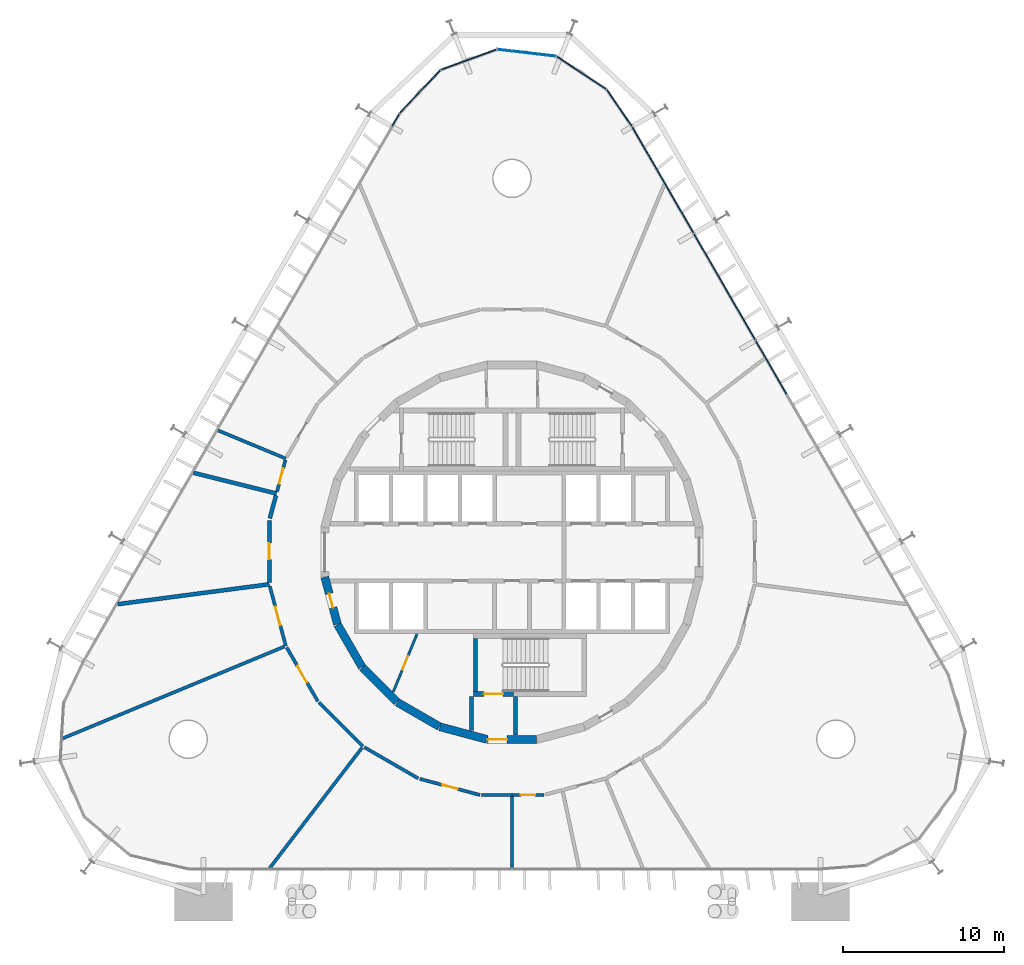
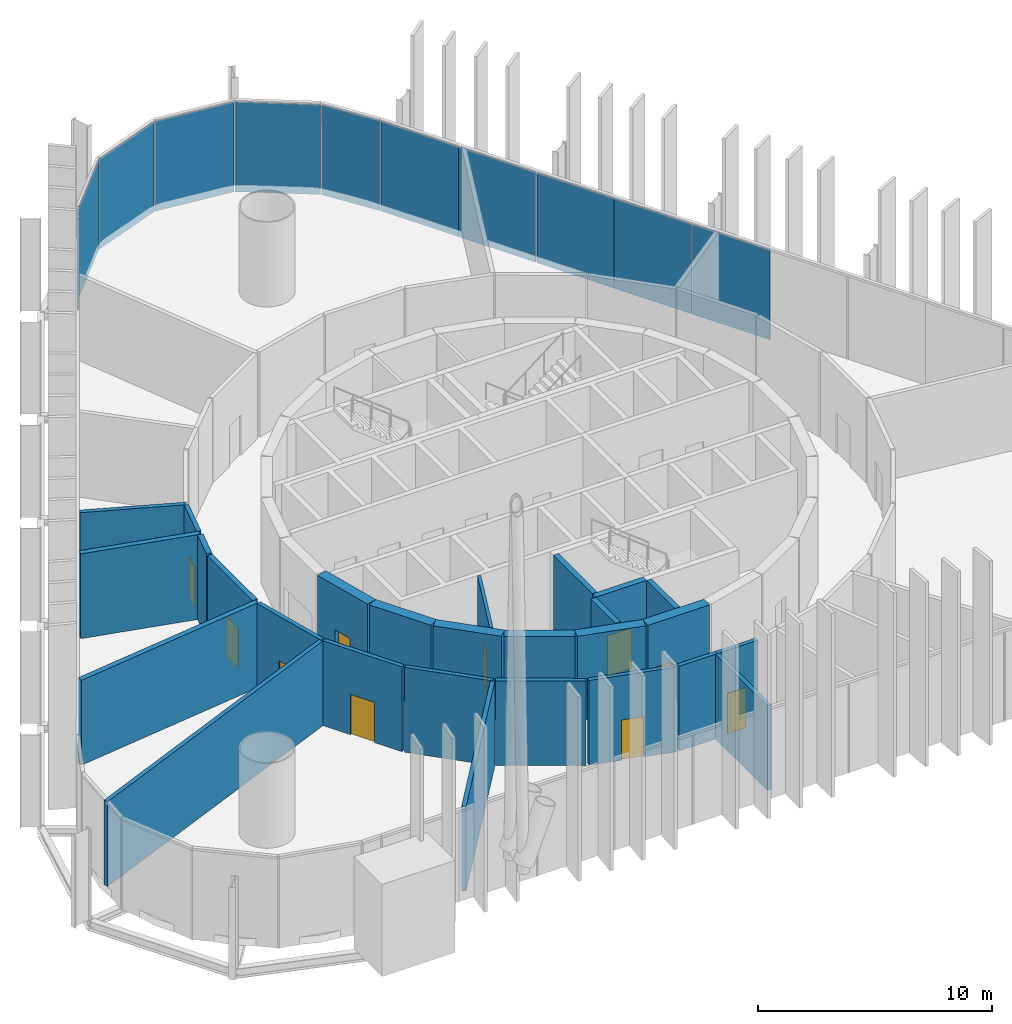
# One storey, part 14 of 18: 27 walls, 11 plates, 10 doors, 10 openings, 2 elements without a shape of their own.
"""IFC4 building model written with IfcOpenShell, lengths in metres."""

from ifc_helpers import new_model, si_unit, direction, frame, frame_2d, origin, origin_2d, place, context, subcontext, project, spatial, rectangle, extrude, material, layer, layer_set, type_object, element, fill, aggregate, save


model = new_model("IFC4")

# Units and contexts
model_context = context("Model", 3, precision=1e-05, world=origin(), true_north=direction((0.0, 1.0)))
body_context = subcontext(model_context, "Body", "Model", "MODEL_VIEW")
ifc_project = project(units=[si_unit("LENGTHUNIT", "METRE"), si_unit("AREAUNIT", "SQUARE_METRE"), si_unit("VOLUMEUNIT", "CUBIC_METRE"), si_unit("PLANEANGLEUNIT", "RADIAN"), si_unit("MASSUNIT", "GRAM", prefix="KILO")], contexts=[model_context])

# Site, building, storey
site_placement = place(None, origin())
site = spatial("IfcSite", under=ifc_project, at=site_placement, CompositionType="ELEMENT")
building_placement = place(site_placement, origin())
building = spatial("IfcBuilding", under=site, at=building_placement, Name="Spindle Arch Residences", CompositionType="ELEMENT")
storey_placement = place(building_placement, frame((0.0, 0.0, 9.0)))
storey = spatial("IfcBuildingStorey", under=building, at=storey_placement, Name="L01", CompositionType="ELEMENT", Elevation=9.0)

# Curtain wall, plates
ifc_material_1 = material(Name="Aluminium bronze unitised frame with tinted glass", Category="aluminium")
ifc_layer_1 = layer(ifc_material_1, 0.159912109375)
ifc_layer_set_1 = layer_set([ifc_layer_1], Name="CW-B amenity podium glazed wall")
curtain_wall_type_1 = type_object("IfcCurtainWallType", Name="CW-B amenity podium glazed wall", PredefinedType="NOTDEFINED", material=ifc_layer_set_1)
curtain_wall_1_placement = place(storey_placement, origin())
curtain_wall_1 = element("IfcCurtainWall", 1, at=curtain_wall_1_placement, inside=storey, type_object=curtain_wall_type_1, Name="CW-B L01 run 2", PredefinedType="NOTDEFINED")
ifc_material_2 = material(Name="Tinted double glazing over aluminium faced non-combustible spandrel zone (K0)", Category="aluminium")
ifc_layer_2 = layer(ifc_material_2, 0.06005859375)
ifc_layer_set_2 = layer_set([ifc_layer_2], Name="Unitised glass panel with E 60 spandrel zone")
plate_type = type_object("IfcPlateType", Name="Unitised glass panel with E 60 spandrel zone", PredefinedType="CURTAIN_PANEL", material=ifc_layer_set_2)
plate_1_placement = place(storey_placement, frame((16.11669921875, 11.504638671875, -0.3798828125), z_axis=(0.0, 0.0, 1.0), x_axis=(-0.5, 0.866025403784, 0.0)))
plate_1 = element("IfcPlate", 2, at=plate_1_placement, type_object=plate_type, Name="CW-B unit 07B", PredefinedType="CURTAIN_PANEL", context=body_context, shape_type="SweptSolid", body=[
    extrude(rectangle(XDim=3.81005859375, YDim=0.06005859375, at=origin_2d()), origin(), (0.0, 0.0, 1.0), 4.679931640625),
])
plate_2_placement = place(storey_placement, frame((14.181640625, 14.856201171875, -0.3798828125), z_axis=(0.0, 0.0, 1.0), x_axis=(-0.5, 0.866025403784, 0.0)))
plate_2 = element("IfcPlate", 3, at=plate_2_placement, type_object=plate_type, Name="CW-B unit 08A", PredefinedType="CURTAIN_PANEL", context=body_context, shape_type="SweptSolid", body=[
    extrude(rectangle(XDim=3.81005859375, YDim=0.06005859375, at=origin_2d()), origin(), (0.0, 0.0, 1.0), 4.679931640625),
])
plate_3_placement = place(storey_placement, frame((12.27685546875, 18.156005859375, -0.3798828125), z_axis=(0.0, 0.0, 1.0), x_axis=(-0.5, 0.866025403784, 0.0)))
plate_3 = element("IfcPlate", 4, at=plate_3_placement, type_object=plate_type, Name="CW-B unit 08B", PredefinedType="CURTAIN_PANEL", context=body_context, shape_type="SweptSolid", body=[
    extrude(rectangle(XDim=3.81005859375, YDim=0.06005859375, at=origin_2d()), origin(), (0.0, 0.0, 1.0), 4.679931640625),
])
plate_4_placement = place(storey_placement, frame((10.341796875, 21.50732421875, -0.3798828125), z_axis=(0.0, 0.0, 1.0), x_axis=(-0.5, 0.866025403784, 0.0)))
plate_4 = element("IfcPlate", 5, at=plate_4_placement, type_object=plate_type, Name="CW-B unit 09A", PredefinedType="CURTAIN_PANEL", context=body_context, shape_type="SweptSolid", body=[
    extrude(rectangle(XDim=3.81005859375, YDim=0.06005859375, at=origin_2d()), origin(), (0.0, 0.0, 1.0), 4.679931640625),
])
plate_5_placement = place(storey_placement, frame((8.436767578125, 24.80712890625, -0.3798828125), z_axis=(0.0, 0.0, 1.0), x_axis=(-0.5, 0.866025403784, 0.0)))
plate_5 = element("IfcPlate", 6, at=plate_5_placement, type_object=plate_type, Name="CW-B unit 09B", PredefinedType="CURTAIN_PANEL", context=body_context, shape_type="SweptSolid", body=[
    extrude(rectangle(XDim=3.81005859375, YDim=0.06005859375, at=origin_2d()), origin(), (0.0, 0.0, 1.0), 4.679931640625),
])
aggregate(curtain_wall_1, [plate_1, plate_2, plate_3, plate_4, plate_5])

ifc_material_3 = material(Name="Aluminium bronze unitised frame with tinted glass", Category="aluminium")
ifc_layer_3 = layer(ifc_material_3, 0.159912109375)
ifc_layer_set_3 = layer_set([ifc_layer_3], Name="CW-D corner wall on the fillet arcs")
curtain_wall_type_2 = type_object("IfcCurtainWallType", Name="CW-D corner wall on the fillet arcs", PredefinedType="NOTDEFINED", material=ifc_layer_set_3)
curtain_wall_2_placement = place(storey_placement, origin())
curtain_wall_2 = element("IfcCurtainWall", 7, at=curtain_wall_2_placement, inside=storey, type_object=curtain_wall_type_2, Name="CW-D L01 run 3", PredefinedType="NOTDEFINED")
plate_6_placement = place(storey_placement, frame((6.673095703125, 27.643798828125, -0.3798828125), z_axis=(0.0, 0.0, 1.0), x_axis=(-0.565500718711, 0.824747802142, 0.0)))
plate_6 = element("IfcPlate", 8, at=plate_6_placement, type_object=plate_type, Name="CW-D unit 00", PredefinedType="CURTAIN_PANEL", context=body_context, shape_type="SweptSolid", body=[
    extrude(rectangle(XDim=2.755126953125, YDim=0.06005859375, at=origin_2d()), origin(), (0.0, 0.0, 1.0), 4.679931640625),
])
plate_7_placement = place(storey_placement, frame((4.3203125, 29.82861328125, -0.3798828125), z_axis=(0.0, 0.0, 1.0), x_axis=(-0.835487811704, 0.549508977628, 0.0)))
plate_7 = element("IfcPlate", 9, at=plate_7_placement, type_object=plate_type, Name="CW-D unit 01", PredefinedType="CURTAIN_PANEL", context=body_context, shape_type="SweptSolid", body=[
    extrude(rectangle(XDim=3.666748046875, YDim=0.06005859375, at=origin_2d()), origin(), (0.0, 0.0, 1.0), 4.679931640625),
])
plate_8_placement = place(storey_placement, frame((0.912841796875, 31.06884765625, -0.3798828125), z_axis=(0.0, 0.0, 1.0), x_axis=(-0.993238357591, 0.116092915414, 0.0)))
plate_8 = element("IfcPlate", 10, at=plate_8_placement, type_object=plate_type, Name="CW-D unit 02", PredefinedType="CURTAIN_PANEL", context=body_context, shape_type="SweptSolid", body=[
    extrude(rectangle(XDim=3.666748046875, YDim=0.06005859375, at=origin_2d()), origin(), (0.0, 0.0, 1.0), 4.679931640625),
])
plate_9_placement = place(storey_placement, frame((-2.68896484375, 30.64794921875, -0.3798828125), z_axis=(0.0, 0.0, 1.0), x_axis=(-0.939692621437, -0.342020141538, 0.0)))
plate_9 = element("IfcPlate", 11, at=plate_9_placement, type_object=plate_type, Name="CW-D unit 03", PredefinedType="CURTAIN_PANEL", context=body_context, shape_type="SweptSolid", body=[
    extrude(rectangle(XDim=3.666748046875, YDim=0.06005859375, at=origin_2d()), origin(), (0.0, 0.0, 1.0), 4.679931640625),
])
plate_10_placement = place(storey_placement, frame((-5.71875, 28.6552734375, -0.3798828125), z_axis=(0.0, 0.0, 1.0), x_axis=(-0.686241639236, -0.727373640284, 0.0)))
plate_10 = element("IfcPlate", 12, at=plate_10_placement, type_object=plate_type, Name="CW-D unit 04", PredefinedType="CURTAIN_PANEL", context=body_context, shape_type="SweptSolid", body=[
    extrude(rectangle(XDim=3.666748046875, YDim=0.06005859375, at=origin_2d()), origin(), (0.0, 0.0, 1.0), 4.679931640625),
])
plate_11_placement = place(storey_placement, frame((-7.2333984375, 26.891357421875, -0.3798828125), z_axis=(0.0, 0.0, 1.0), x_axis=(-0.5, -0.866025403784, 0.0)))
plate_11 = element("IfcPlate", 13, at=plate_11_placement, type_object=plate_type, Name="CW-D unit 05", PredefinedType="CURTAIN_PANEL", context=body_context, shape_type="SweptSolid", body=[
    extrude(rectangle(XDim=0.88330078125, YDim=0.06005859375, at=origin_2d()), origin(), (0.0, 0.0, 1.0), 4.679931640625),
])
aggregate(curtain_wall_2, [plate_6, plate_7, plate_8, plate_9, plate_10, plate_11])

# Wall, opening, door
ifc_material_4 = material(Name="Concrete C50/60", Category="concrete")
ifc_layer_4 = layer(ifc_material_4, 0.5)
ifc_layer_set_4 = layer_set([ifc_layer_4], Name="Core outline wall 500")
wall_type_1 = type_object("IfcWallType", Name="Core outline wall 500", PredefinedType="SHEAR", material=ifc_layer_set_4)
wall_1_placement = place(storey_placement, frame((-11.642822265625, -1.5498046875, 0.0), z_axis=(0.0, 0.0, 1.0), x_axis=(0.258734743916, -0.965948410781, 0.0)))
wall_1 = element("IfcWall", 14, at=wall_1_placement, inside=storey, type_object=wall_type_1, Name="Core outline wall 19", PredefinedType="SHEAR", context=body_context, shape_type="SweptSolid", body=[
    extrude(rectangle(XDim=3.03271484375, YDim=0.5, at=frame_2d((1.516357421875, 0.0))), origin(), (0.0, 0.0, 1.0), 4.419921875),
])
opening_1_placement = place(wall_1_placement, frame((1.06640625, 0.0, 0.0)))
opening_1 = element("IfcOpeningElement", 15, at=opening_1_placement, cuts=wall_1, Name="Opening L01-WD10", PredefinedType="OPENING", context=body_context, shape_type="SweptSolid", body=[
    extrude(rectangle(XDim=0.89990234375, YDim=2.10009765625, at=frame_2d((0.449951171875, 1.050048828125))), frame((0.0, 0.260009765625, 0.0), z_axis=(0.0, -1.0, 0.0), x_axis=(1.0, 0.0, 0.0)), (0.0, 0.0, 1.0), 0.52001953125),
])
ifc_material_5 = material(Name="Steel, fire-resisting door", Category="steel")
door_type_1 = type_object("IfcDoorType", Name="Service room door 900x2100", OperationType="SINGLE_SWING_LEFT", PredefinedType="DOOR", material=ifc_material_5)
door_1_placement = place(opening_1_placement, origin())
door_1 = element("IfcDoor", 16, at=door_1_placement, inside=storey, type_object=door_type_1, Name="Service room door L01-WD10", OperationType="SINGLE_SWING_LEFT", OverallHeight=2.10009765625, OverallWidth=0.89990234375, PredefinedType="DOOR", context=body_context, shape_type="SweptSolid", body=[
    extrude(rectangle(XDim=0.89990234375, YDim=2.10009765625, at=frame_2d((0.449951171875, 1.050048828125))), frame((0.0, 0.02490234375, 0.0), z_axis=(0.0, -1.0, 0.0), x_axis=(1.0, 0.0, 0.0)), (0.0, 0.0, 1.0), 0.050048828125),
])
fill(opening_1, door_1)

# Walls
wall_2_placement = place(storey_placement, frame((-10.84521484375, -4.510498046875, 0.0), z_axis=(0.0, 0.0, 1.0), x_axis=(0.500087131594, -0.865975092491, 0.0)))
element("IfcWall", 17, at=wall_2_placement, inside=storey, type_object=wall_type_1, Name="Core outline wall 20", PredefinedType="SHEAR", context=body_context, shape_type="SweptSolid", body=[
    extrude(rectangle(XDim=3.03271484375, YDim=0.5, at=frame_2d((1.516357421875, 0.0))), origin(), (0.0, 0.0, 1.0), 4.419921875),
])
wall_3_placement = place(storey_placement, frame((-9.30810546875, -7.163818359375, 0.0), z_axis=(0.0, 0.0, 1.0), x_axis=(0.707106781187, -0.707106781187, 0.0)))
element("IfcWall", 18, at=wall_3_placement, inside=storey, type_object=wall_type_1, Name="Core outline wall 21", PredefinedType="SHEAR", context=body_context, shape_type="SweptSolid", body=[
    extrude(rectangle(XDim=3.032470703125, YDim=0.5, at=frame_2d((1.51611328125, 0.0))), origin(), (0.0, 0.0, 1.0), 4.419921875),
])
for number, where, z_axis, x_axis, name in (
    (19, (-7.13671875, -9.32861328125, 0.0), (0.0, 0.0, 1.0), (0.865975092491, -0.500087131594, 0.0), "Core outline wall 22"),
    (20, (-4.479248046875, -10.858154296875, 0.0), (0.0, 0.0, 1.0), (0.965948410781, -0.258734743916, 0.0), "Core outline wall 23"),
):
    element("IfcWall", number, at=place(storey_placement, frame(where, z_axis=z_axis, x_axis=x_axis)), inside=storey, type_object=wall_type_1, Name=name, PredefinedType="SHEAR", context=body_context, shape_type="SweptSolid", body=[
        extrude(rectangle(XDim=3.03271484375, YDim=0.5, at=frame_2d((1.516357421875, 0.0))), origin(), (0.0, 0.0, 1.0), 4.419921875),
    ])

# Wall, opening, door
wall_4_placement = place(storey_placement, frame((-1.516357421875, -11.647216796875, 0.0), z_axis=(0.0, 0.0, 1.0), x_axis=(1.0, 0.0, 0.0)))
wall_4 = element("IfcWall", 21, at=wall_4_placement, inside=storey, type_object=wall_type_1, Name="Core outline wall 24", PredefinedType="SHEAR", context=body_context, shape_type="SweptSolid", body=[
    extrude(rectangle(XDim=3.03271484375, YDim=0.5, at=frame_2d((1.516357421875, 0.0))), origin(), (0.0, 0.0, 1.0), 4.419921875),
])
opening_2_placement = place(wall_4_placement, frame((0.016357421875, 0.0, 0.0)))
opening_2 = element("IfcOpeningElement", 22, at=opening_2_placement, cuts=wall_4, Name="Opening L01-AD03", PredefinedType="OPENING", context=body_context, shape_type="SweptSolid", body=[
    extrude(rectangle(XDim=1.199951171875, YDim=2.10009765625, at=frame_2d((0.60009765625, 1.050048828125))), frame((0.0, 0.260009765625, 0.0), z_axis=(0.0, -1.0, 0.0), x_axis=(1.0, 0.0, 0.0)), (0.0, 0.0, 1.0), 0.52001953125),
])
ifc_material_6 = material(Name="Steel, fire-resisting door", Category="steel")
door_type_2 = type_object("IfcDoorType", Name="Stair airlock door 1200x2100", OperationType="SINGLE_SWING_LEFT", PredefinedType="DOOR", material=ifc_material_6)
door_2_placement = place(opening_2_placement, origin())
door_2 = element("IfcDoor", 23, at=door_2_placement, inside=storey, type_object=door_type_2, Name="Stair airlock door L01-AD03", OperationType="SINGLE_SWING_RIGHT", OverallHeight=2.10009765625, OverallWidth=1.199951171875, PredefinedType="DOOR", context=body_context, shape_type="SweptSolid", body=[
    extrude(rectangle(XDim=1.199951171875, YDim=2.10009765625, at=frame_2d((0.60009765625, 1.050048828125))), frame((0.0, 0.02490234375, 0.0), z_axis=(0.0, -1.0, 0.0), x_axis=(1.0, 0.0, 0.0)), (0.0, 0.0, 1.0), 0.050048828125),
])
fill(opening_2, door_2)

# Wall
ifc_material_7 = material(Name="Concrete C25/30 wall", Category="concrete")
ifc_layer_5 = layer(ifc_material_7, 0.25)
ifc_layer_set_5 = layer_set([ifc_layer_5], Name="Partition EI 120 250 plant")
wall_type_2 = type_object("IfcWallType", Name="Partition EI 120 250 plant", PredefinedType="PARTITIONING", material=ifc_layer_set_5)
wall_5_placement = place(storey_placement, frame((-15.10009765625, -1.989990234375, 0.0), z_axis=(0.0, 0.0, 1.0), x_axis=(-0.99146503856, -0.130372839634, 0.0)))
element("IfcWall", 24, at=wall_5_placement, inside=storey, type_object=wall_type_2, Name="L01-W001", PredefinedType="PARTITIONING", context=body_context, shape_type="SweptSolid", body=[
    extrude(rectangle(XDim=9.51123046875, YDim=0.25, at=frame_2d((4.755615234375, 0.0))), origin(), (0.0, 0.0, 1.0), 4.419921875),
])

# Wall, opening, door
wall_6_placement = place(storey_placement, frame((-15.10009765625, 1.989990234375, 0.0), z_axis=(0.0, 0.0, 1.0), x_axis=(0.0, -1.0, 0.0)))
wall_6 = element("IfcWall", 25, at=wall_6_placement, inside=storey, type_object=wall_type_2, Name="L01-W003", PredefinedType="PARTITIONING", context=body_context, shape_type="SweptSolid", body=[
    extrude(rectangle(XDim=3.85498046875, YDim=0.25, at=frame_2d((1.927490234375, 0.0))), origin(), (0.0, 0.0, 1.0), 4.419921875),
])
opening_3_placement = place(wall_6_placement, frame((1.427490234375, 0.0, 0.0)))
opening_3 = element("IfcOpeningElement", 26, at=opening_3_placement, cuts=wall_6, Name="Opening L01-D08", PredefinedType="OPENING", context=body_context, shape_type="SweptSolid", body=[
    extrude(rectangle(XDim=1.0, YDim=2.10009765625, at=frame_2d((0.5, 1.050048828125))), frame((0.0, 0.135009765625, 0.0), z_axis=(0.0, -1.0, 0.0), x_axis=(1.0, 0.0, 0.0)), (0.0, 0.0, 1.0), 0.27001953125),
])
ifc_material_8 = material(Name="Steel door leaf, painted", Category="steel")
door_type_3 = type_object("IfcDoorType", Name="Door 1000x2100 EI 60", OperationType="SINGLE_SWING_LEFT", PredefinedType="DOOR", material=ifc_material_8)
door_3_placement = place(opening_3_placement, origin())
door_3 = element("IfcDoor", 27, at=door_3_placement, inside=storey, type_object=door_type_3, Name="L01-D08", OperationType="SINGLE_SWING_LEFT", OverallHeight=2.10009765625, OverallWidth=1.0, PredefinedType="DOOR", context=body_context, shape_type="SweptSolid", body=[
    extrude(rectangle(XDim=1.0, YDim=2.10009765625, at=frame_2d((0.5, 1.050048828125))), frame((0.0, 0.02490234375, 0.0), z_axis=(0.0, -1.0, 0.0), x_axis=(1.0, 0.0, 0.0)), (0.0, 0.0, 1.0), 0.050048828125),
])
fill(opening_3, door_3)

# Walls
wall_7_placement = place(storey_placement, frame((-14.64990234375, 3.64990234375, 0.0), z_axis=(0.0, 0.0, 1.0), x_axis=(-0.970142500145, 0.242535625036, 0.0)))
element("IfcWall", 28, at=wall_7_placement, inside=storey, type_object=wall_type_2, Name="L01-W004", PredefinedType="PARTITIONING", context=body_context, shape_type="SweptSolid", body=[
    extrude(rectangle(XDim=5.31884765625, YDim=0.25, at=frame_2d((2.659423828125, 0.0))), origin(), (0.0, 0.0, 1.0), 4.419921875),
])
wall_8_placement = place(storey_placement, frame((-14.6826171875, 3.529296875, 0.0), z_axis=(0.0, 0.0, 1.0), x_axis=(-0.261753947787, -0.9651346387, 0.0)))
element("IfcWall", 29, at=wall_8_placement, inside=storey, type_object=wall_type_2, Name="L01-W005", PredefinedType="PARTITIONING", context=body_context, shape_type="SweptSolid", body=[
    extrude(rectangle(XDim=1.469970703125, YDim=0.25, at=frame_2d((0.73486328125, 0.0))), origin(), (0.0, 0.0, 1.0), 4.419921875),
])

# Wall, opening, door
ifc_material_9 = material(Name="Gypsum board partition on steel studs", Category="steel")
ifc_layer_6 = layer(ifc_material_9, 0.199951171875)
ifc_layer_set_6 = layer_set([ifc_layer_6], Name="Partition EI 60 200 amenity")
wall_type_3 = type_object("IfcWallType", Name="Partition EI 60 200 amenity", PredefinedType="PARTITIONING", material=ifc_layer_set_6)
wall_9_placement = place(storey_placement, frame((-15.067626953125, -2.11083984375, 0.0), z_axis=(0.0, 0.0, 1.0), x_axis=(0.259059323171, -0.965861411942, 0.0)))
wall_9 = element("IfcWall", 30, at=wall_9_placement, inside=storey, type_object=wall_type_3, Name="L01-W002", PredefinedType="PARTITIONING", context=body_context, shape_type="SweptSolid", body=[
    extrude(rectangle(XDim=3.8505859375, YDim=0.199951171875, at=frame_2d((1.92529296875, 0.0))), origin(), (0.0, 0.0, 1.0), 4.419921875),
])
opening_4_placement = place(wall_9_placement, frame((1.325439453125, 0.0, 0.0)))
opening_4 = element("IfcOpeningElement", 31, at=opening_4_placement, cuts=wall_9, Name="Opening L01-D07", PredefinedType="OPENING", context=body_context, shape_type="SweptSolid", body=[
    extrude(rectangle(XDim=1.199951171875, YDim=2.10009765625, at=frame_2d((0.60009765625, 1.050048828125))), frame((0.0, 0.10986328125, 0.0), z_axis=(0.0, -1.0, 0.0), x_axis=(1.0, 0.0, 0.0)), (0.0, 0.0, 1.0), 0.219970703125),
])
ifc_material_10 = material(Name="Timber door leaf", Category="wood")
door_type_4 = type_object("IfcDoorType", Name="Door 1200x2100 EI 30", OperationType="SINGLE_SWING_LEFT", PredefinedType="DOOR", material=ifc_material_10)
door_4_placement = place(opening_4_placement, origin())
door_4 = element("IfcDoor", 32, at=door_4_placement, inside=storey, type_object=door_type_4, Name="L01-D07", OperationType="SINGLE_SWING_LEFT", OverallHeight=2.10009765625, OverallWidth=1.199951171875, PredefinedType="DOOR", context=body_context, shape_type="SweptSolid", body=[
    extrude(rectangle(XDim=1.199951171875, YDim=2.10009765625, at=frame_2d((0.60009765625, 1.050048828125))), frame((0.0, 0.02490234375, 0.0), z_axis=(0.0, -1.0, 0.0), x_axis=(1.0, 0.0, 0.0)), (0.0, 0.0, 1.0), 0.050048828125),
])
fill(opening_4, door_4)

# Wall
wall_10_placement = place(storey_placement, frame((-14.162353515625, -5.8681640625, 0.0), z_axis=(0.0, 0.0, 1.0), x_axis=(-0.923914077449, -0.382600022859, 0.0)))
element("IfcWall", 33, at=wall_10_placement, inside=storey, type_object=wall_type_3, Name="L01-W006", PredefinedType="PARTITIONING", context=body_context, shape_type="SweptSolid", body=[
    extrude(rectangle(XDim=15.08544921875, YDim=0.199951171875, at=frame_2d((7.542724609375, 0.0))), origin(), (0.0, 0.0, 1.0), 4.419921875),
])

# Wall, opening, door
wall_11_placement = place(storey_placement, frame((-14.02001953125, -5.91650390625, 0.0), z_axis=(0.0, 0.0, 1.0), x_axis=(0.500733182901, -0.865601686425, 0.0)))
wall_11 = element("IfcWall", 34, at=wall_11_placement, inside=storey, type_object=wall_type_3, Name="L01-W007", PredefinedType="PARTITIONING", context=body_context, shape_type="SweptSolid", body=[
    extrude(rectangle(XDim=3.874267578125, YDim=0.199951171875, at=frame_2d((1.93701171875, 0.0))), origin(), (0.0, 0.0, 1.0), 4.419921875),
])
opening_5_placement = place(wall_11_placement, frame((1.337158203125, 0.0, 0.0)))
opening_5 = element("IfcOpeningElement", 35, at=opening_5_placement, cuts=wall_11, Name="Opening L01-D05", PredefinedType="OPENING", context=body_context, shape_type="SweptSolid", body=[
    extrude(rectangle(XDim=1.199951171875, YDim=2.10009765625, at=frame_2d((0.60009765625, 1.050048828125))), frame((0.0, 0.10986328125, 0.0), z_axis=(0.0, -1.0, 0.0), x_axis=(1.0, 0.0, 0.0)), (0.0, 0.0, 1.0), 0.219970703125),
])
door_5_placement = place(opening_5_placement, origin())
door_5 = element("IfcDoor", 36, at=door_5_placement, inside=storey, type_object=door_type_4, Name="L01-D05", OperationType="SINGLE_SWING_LEFT", OverallHeight=2.10009765625, OverallWidth=1.199951171875, PredefinedType="DOOR", context=body_context, shape_type="SweptSolid", body=[
    extrude(rectangle(XDim=1.199951171875, YDim=2.10009765625, at=frame_2d((0.60009765625, 1.050048828125))), frame((0.0, 0.02490234375, 0.0), z_axis=(0.0, -1.0, 0.0), x_axis=(1.0, 0.0, 0.0)), (0.0, 0.0, 1.0), 0.050048828125),
])
fill(opening_5, door_5)

# Wall
wall_12_placement = place(storey_placement, frame((-14.070068359375, 5.830078125, 0.0), z_axis=(0.0, 0.0, 1.0), x_axis=(-0.923722282312, 0.383062847533, 0.0)))
element("IfcWall", 37, at=wall_12_placement, inside=storey, type_object=wall_type_3, Name="L01-W008", PredefinedType="PARTITIONING", context=body_context, shape_type="SweptSolid", body=[
    extrude(rectangle(XDim=4.568359375, YDim=0.199951171875, at=frame_2d((2.2841796875, 0.0))), origin(), (0.0, 0.0, 1.0), 4.419921875),
])

# Wall, opening, door
wall_13_placement = place(storey_placement, frame((-14.095703125, 5.7333984375, 0.0), z_axis=(0.0, 0.0, 1.0), x_axis=(-0.257131388612, -0.96637645304, 0.0)))
wall_13 = element("IfcWall", 38, at=wall_13_placement, inside=storey, type_object=wall_type_3, Name="L01-W009", PredefinedType="PARTITIONING", context=body_context, shape_type="SweptSolid", body=[
    extrude(rectangle(XDim=2.031005859375, YDim=0.199951171875, at=frame_2d((1.015625, 0.0))), origin(), (0.0, 0.0, 1.0), 4.419921875),
])
opening_6_placement = place(wall_13_placement, frame((0.515380859375, 0.0, 0.0)))
opening_6 = element("IfcOpeningElement", 39, at=opening_6_placement, cuts=wall_13, Name="Opening L01-D10", PredefinedType="OPENING", context=body_context, shape_type="SweptSolid", body=[
    extrude(rectangle(XDim=1.0, YDim=2.10009765625, at=frame_2d((0.5, 1.050048828125))), frame((0.0, 0.10986328125, 0.0), z_axis=(0.0, -1.0, 0.0), x_axis=(1.0, 0.0, 0.0)), (0.0, 0.0, 1.0), 0.219970703125),
])
ifc_material_11 = material(Name="Timber door leaf", Category="wood")
door_type_5 = type_object("IfcDoorType", Name="Door 1000x2100 EI 30", OperationType="SINGLE_SWING_LEFT", PredefinedType="DOOR", material=ifc_material_11)
door_6_placement = place(opening_6_placement, origin())
door_6 = element("IfcDoor", 40, at=door_6_placement, inside=storey, type_object=door_type_5, Name="L01-D10", OperationType="SINGLE_SWING_LEFT", OverallHeight=2.10009765625, OverallWidth=1.0, PredefinedType="DOOR", context=body_context, shape_type="SweptSolid", body=[
    extrude(rectangle(XDim=1.0, YDim=2.10009765625, at=frame_2d((0.5, 1.050048828125))), frame((0.0, 0.02490234375, 0.0), z_axis=(0.0, -1.0, 0.0), x_axis=(1.0, 0.0, 0.0)), (0.0, 0.0, 1.0), 0.050048828125),
])
fill(opening_6, door_6)

# Walls
wall_14_placement = place(storey_placement, frame((-12.00927734375, -9.3408203125, 0.0), z_axis=(0.0, 0.0, 1.0), x_axis=(0.707106781187, -0.707106781187, 0.0)))
element("IfcWall", 41, at=wall_14_placement, inside=storey, type_object=wall_type_3, Name="L01-W010", PredefinedType="PARTITIONING", context=body_context, shape_type="SweptSolid", body=[
    extrude(rectangle(XDim=3.873779296875, YDim=0.199951171875, at=frame_2d((1.93701171875, 0.0))), origin(), (0.0, 0.0, 1.0), 4.419921875),
])
wall_15_placement = place(storey_placement, frame((-9.330810546875, -12.159423828125, 0.0), z_axis=(0.0, 0.0, 1.0), x_axis=(-0.608558385637, -0.793509099677, 0.0)))
element("IfcWall", 42, at=wall_15_placement, inside=storey, type_object=wall_type_3, Name="L01-W014", PredefinedType="PARTITIONING", context=body_context, shape_type="SweptSolid", body=[
    extrude(rectangle(XDim=9.41455078125, YDim=0.199951171875, at=frame_2d((4.707275390625, 0.0))), origin(), (0.0, 0.0, 1.0), 4.419921875),
])
wall_16_placement = place(storey_placement, frame((-9.183349609375, -12.130126953125, 0.0), z_axis=(0.0, 0.0, 1.0), x_axis=(0.865585884642, -0.500760497952, 0.0)))
element("IfcWall", 43, at=wall_16_placement, inside=storey, type_object=wall_type_3, Name="L01-W015", PredefinedType="PARTITIONING", context=body_context, shape_type="SweptSolid", body=[
    extrude(rectangle(XDim=3.8740234375, YDim=0.199951171875, at=frame_2d((1.93701171875, 0.0))), origin(), (0.0, 0.0, 1.0), 4.419921875),
])

# Wall, opening, door
wall_17_placement = place(storey_placement, frame((-5.7333984375, -14.095947265625, 0.0), z_axis=(0.0, 0.0, 1.0), x_axis=(0.96585437197, -0.259085569159, 0.0)))
wall_17 = element("IfcWall", 44, at=wall_17_placement, inside=storey, type_object=wall_type_3, Name="L01-W017", PredefinedType="PARTITIONING", context=body_context, shape_type="SweptSolid", body=[
    extrude(rectangle(XDim=3.875732421875, YDim=0.199951171875, at=frame_2d((1.93798828125, 0.0))), origin(), (0.0, 0.0, 1.0), 4.419921875),
])
opening_7_placement = place(wall_17_placement, frame((1.43798828125, 0.0, 0.0)))
opening_7 = element("IfcOpeningElement", 45, at=opening_7_placement, cuts=wall_17, Name="Opening L01-D03", PredefinedType="OPENING", context=body_context, shape_type="SweptSolid", body=[
    extrude(rectangle(XDim=1.0, YDim=2.10009765625, at=frame_2d((0.5, 1.050048828125))), frame((0.0, 0.10986328125, 0.0), z_axis=(0.0, -1.0, 0.0), x_axis=(1.0, 0.0, 0.0)), (0.0, 0.0, 1.0), 0.219970703125),
])
door_7_placement = place(opening_7_placement, origin())
door_7 = element("IfcDoor", 46, at=door_7_placement, inside=storey, type_object=door_type_5, Name="L01-D03", OperationType="SINGLE_SWING_LEFT", OverallHeight=2.10009765625, OverallWidth=1.0, PredefinedType="DOOR", context=body_context, shape_type="SweptSolid", body=[
    extrude(rectangle(XDim=1.0, YDim=2.10009765625, at=frame_2d((0.5, 1.050048828125))), frame((0.0, 0.02490234375, 0.0), z_axis=(0.0, -1.0, 0.0), x_axis=(1.0, 0.0, 0.0)), (0.0, 0.0, 1.0), 0.050048828125),
])
fill(opening_7, door_7)

# Walls
wall_18_placement = place(storey_placement, frame((-1.889892578125, -15.10009765625, 0.0), z_axis=(0.0, 0.0, 1.0), x_axis=(1.0, 0.0, 0.0)))
element("IfcWall", 47, at=wall_18_placement, inside=storey, type_object=wall_type_3, Name="L01-W020", PredefinedType="PARTITIONING", context=body_context, shape_type="SweptSolid", body=[
    extrude(rectangle(XDim=1.889892578125, YDim=0.199951171875, at=frame_2d((0.94482421875, 0.0))), origin(), (0.0, 0.0, 1.0), 4.419921875),
])
wall_19_placement = place(storey_placement, frame((0.0, -15.199951171875, 0.0), z_axis=(0.0, 0.0, 1.0), x_axis=(0.0, -1.0, 0.0)))
element("IfcWall", 48, at=wall_19_placement, inside=storey, type_object=wall_type_3, Name="L01-W022", PredefinedType="PARTITIONING", context=body_context, shape_type="SweptSolid", body=[
    extrude(rectangle(XDim=4.429931640625, YDim=0.199951171875, at=frame_2d((2.21484375, 0.0))), origin(), (0.0, 0.0, 1.0), 4.419921875),
])

# Wall, opening, door
wall_20_placement = place(storey_placement, frame((0.0, -15.10009765625, 0.0), z_axis=(0.0, 0.0, 1.0), x_axis=(1.0, 0.0, 0.0)))
wall_20 = element("IfcWall", 49, at=wall_20_placement, inside=storey, type_object=wall_type_3, Name="L01-W023", PredefinedType="PARTITIONING", context=body_context, shape_type="SweptSolid", body=[
    extrude(rectangle(XDim=1.989990234375, YDim=0.199951171875, at=frame_2d((0.9951171875, 0.0))), origin(), (0.0, 0.0, 1.0), 4.419921875),
])
opening_8_placement = place(wall_20_placement, frame((0.544921875, 0.0, 0.0)))
opening_8 = element("IfcOpeningElement", 50, at=opening_8_placement, cuts=wall_20, Name="Opening L01-D01", PredefinedType="OPENING", context=body_context, shape_type="SweptSolid", body=[
    extrude(rectangle(XDim=0.89990234375, YDim=2.10009765625, at=frame_2d((0.449951171875, 1.050048828125))), frame((0.0, 0.10986328125, 0.0), z_axis=(0.0, -1.0, 0.0), x_axis=(1.0, 0.0, 0.0)), (0.0, 0.0, 1.0), 0.219970703125),
])
ifc_material_12 = material(Name="Timber door leaf", Category="wood")
door_type_6 = type_object("IfcDoorType", Name="Door 900x2100 EI 30", OperationType="SINGLE_SWING_LEFT", PredefinedType="DOOR", material=ifc_material_12)
door_8_placement = place(opening_8_placement, origin())
door_8 = element("IfcDoor", 51, at=door_8_placement, inside=storey, type_object=door_type_6, Name="L01-D01", OperationType="SINGLE_SWING_LEFT", OverallHeight=2.10009765625, OverallWidth=0.89990234375, PredefinedType="DOOR", context=body_context, shape_type="SweptSolid", body=[
    extrude(rectangle(XDim=0.89990234375, YDim=2.10009765625, at=frame_2d((0.449951171875, 1.050048828125))), frame((0.0, 0.02490234375, 0.0), z_axis=(0.0, -1.0, 0.0), x_axis=(1.0, 0.0, 0.0)), (0.0, 0.0, 1.0), 0.050048828125),
])
fill(opening_8, door_8)

ifc_material_13 = material(Name="Concrete C25/30", Category="concrete")
ifc_layer_7 = layer(ifc_material_13, 0.14990234375)
ifc_layer_set_7 = layer_set([ifc_layer_7], Name="Service room partition 150")
wall_type_4 = type_object("IfcWallType", Name="Service room partition 150", PredefinedType="PARTITIONING", material=ifc_layer_set_7)
wall_21_placement = place(storey_placement, frame((-7.385009765625, -8.680908203125, 0.0), z_axis=(0.0, 0.0, 1.0), x_axis=(0.379804590409, 0.925066739811, 0.0)))
wall_21 = element("IfcWall", 52, at=wall_21_placement, inside=storey, type_object=wall_type_4, Name="Core service room partition", PredefinedType="PARTITIONING", context=body_context, shape_type="SweptSolid", body=[
    extrude(rectangle(XDim=3.885009765625, YDim=0.14990234375, at=frame_2d((1.9423828125, 0.0))), origin(), (0.0, 0.0, 1.0), 4.419921875),
])
opening_9_placement = place(wall_21_placement, frame((1.49267578125, 0.0, 0.0)))
opening_9 = element("IfcOpeningElement", 53, at=opening_9_placement, cuts=wall_21, Name="Opening L01-WD06", PredefinedType="OPENING", context=body_context, shape_type="SweptSolid", body=[
    extrude(rectangle(XDim=0.89990234375, YDim=2.10009765625, at=frame_2d((0.449951171875, 1.050048828125))), frame((0.0, 0.0849609375, 0.0), z_axis=(0.0, -1.0, 0.0), x_axis=(1.0, 0.0, 0.0)), (0.0, 0.0, 1.0), 0.169921875),
])
door_9_placement = place(opening_9_placement, origin())
door_9 = element("IfcDoor", 54, at=door_9_placement, inside=storey, type_object=door_type_1, Name="Service room door L01-WD06", OperationType="SINGLE_SWING_LEFT", OverallHeight=2.10009765625, OverallWidth=0.89990234375, PredefinedType="DOOR", context=body_context, shape_type="SweptSolid", body=[
    extrude(rectangle(XDim=0.89990234375, YDim=2.10009765625, at=frame_2d((0.449951171875, 1.050048828125))), frame((0.0, 0.02490234375, 0.0), z_axis=(0.0, -1.0, 0.0), x_axis=(1.0, 0.0, 0.0)), (0.0, 0.0, 1.0), 0.050048828125),
])
fill(opening_9, door_9)

# Walls
ifc_material_14 = material(Name="Concrete C40/50", Category="concrete")
ifc_layer_8 = layer(ifc_material_14, 0.25)
ifc_layer_set_8 = layer_set([ifc_layer_8], Name="Stair airlock wall 250")
wall_type_5 = type_object("IfcWallType", Name="Stair airlock wall 250", PredefinedType="SHEAR", material=ifc_layer_set_8)
wall_22_placement = place(storey_placement, frame((-2.52490234375, -8.969970703125, 0.0), z_axis=(0.0, 0.0, 1.0), x_axis=(0.0, -1.0, 0.0)))
element("IfcWall", 55, at=wall_22_placement, inside=storey, type_object=wall_type_5, Name="Stair ST-3 airlock wall W", PredefinedType="SHEAR", context=body_context, shape_type="SweptSolid", body=[
    extrude(rectangle(XDim=2.110107421875, YDim=0.25, at=frame_2d((1.05517578125, 0.0))), origin(), (0.0, 0.0, 1.0), 4.419921875),
])
wall_23_placement = place(storey_placement, frame((0.22509765625, -8.969970703125, 0.0), z_axis=(0.0, 0.0, 1.0), x_axis=(0.0, -1.0, 0.0)))
element("IfcWall", 56, at=wall_23_placement, inside=storey, type_object=wall_type_5, Name="Stair ST-3 airlock wall E", PredefinedType="SHEAR", context=body_context, shape_type="SweptSolid", body=[
    extrude(rectangle(XDim=2.409912109375, YDim=0.25, at=frame_2d((1.205078125, 0.0))), origin(), (0.0, 0.0, 1.0), 4.419921875),
])
ifc_material_15 = material(Name="Concrete C50/60", Category="concrete")
ifc_layer_9 = layer(ifc_material_15, 0.25)
ifc_layer_set_9 = layer_set([ifc_layer_9], Name="Stair enclosure wall 250")
wall_type_6 = type_object("IfcWallType", Name="Stair enclosure wall 250", PredefinedType="SHEAR", material=ifc_layer_set_9)
wall_24_placement = place(storey_placement, frame((-2.27490234375, -8.669921875, 0.0), z_axis=(0.0, 0.0, 1.0), x_axis=(0.0, 1.0, 0.0)))
element("IfcWall", 57, at=wall_24_placement, inside=storey, type_object=wall_type_6, Name="Stair ST-3 enclosure wall W", PredefinedType="SHEAR", context=body_context, shape_type="SweptSolid", body=[
    extrude(rectangle(XDim=3.31982421875, YDim=0.25, at=frame_2d((1.659912109375, 0.0))), origin(), (0.0, 0.0, 1.0), 4.419921875),
])

# Wall, opening, door
ifc_material_16 = material(Name="Concrete C50/60", Category="concrete")
ifc_layer_10 = layer(ifc_material_16, 0.300048828125)
ifc_layer_set_10 = layer_set([ifc_layer_10], Name="Stair enclosure wall 300")
wall_type_7 = type_object("IfcWallType", Name="Stair enclosure wall 300", PredefinedType="SHEAR", material=ifc_layer_set_10)
wall_25_placement = place(storey_placement, frame((-2.39990234375, -8.820068359375, 0.0), z_axis=(0.0, 0.0, 1.0), x_axis=(1.0, 0.0, 0.0)))
wall_25 = element("IfcWall", 58, at=wall_25_placement, inside=storey, type_object=wall_type_7, Name="Stair ST-3 door wall", PredefinedType="SHEAR", context=body_context, shape_type="SweptSolid", body=[
    extrude(rectangle(XDim=2.5, YDim=0.300048828125, at=frame_2d((1.25, 0.0))), origin(), (0.0, 0.0, 1.0), 4.419921875),
])
opening_10_placement = place(wall_25_placement, frame((0.64990234375, 0.0, 0.0)))
opening_10 = element("IfcOpeningElement", 59, at=opening_10_placement, cuts=wall_25, Name="Opening L01-SD03", PredefinedType="OPENING", context=body_context, shape_type="SweptSolid", body=[
    extrude(rectangle(XDim=1.199951171875, YDim=2.10009765625, at=frame_2d((0.60009765625, 1.050048828125))), frame((0.0, 0.16015625, 0.0), z_axis=(0.0, -1.0, 0.0), x_axis=(1.0, 0.0, 0.0)), (0.0, 0.0, 1.0), 0.320068359375),
])
ifc_material_17 = material(Name="Steel, fire-resisting door", Category="steel")
door_type_7 = type_object("IfcDoorType", Name="Stair door 1200x2100", OperationType="SINGLE_SWING_RIGHT", PredefinedType="DOOR", material=ifc_material_17)
door_10_placement = place(opening_10_placement, origin())
door_10 = element("IfcDoor", 60, at=door_10_placement, inside=storey, type_object=door_type_7, Name="Stair door L01-SD03", OperationType="SINGLE_SWING_LEFT", OverallHeight=2.10009765625, OverallWidth=1.199951171875, PredefinedType="DOOR", context=body_context, shape_type="SweptSolid", body=[
    extrude(rectangle(XDim=1.199951171875, YDim=2.10009765625, at=frame_2d((0.60009765625, 1.050048828125))), frame((0.0, 0.02490234375, 0.0), z_axis=(0.0, -1.0, 0.0), x_axis=(1.0, 0.0, 0.0)), (0.0, 0.0, 1.0), 0.050048828125),
])
fill(opening_10, door_10)

save(model, "model.ifc")
